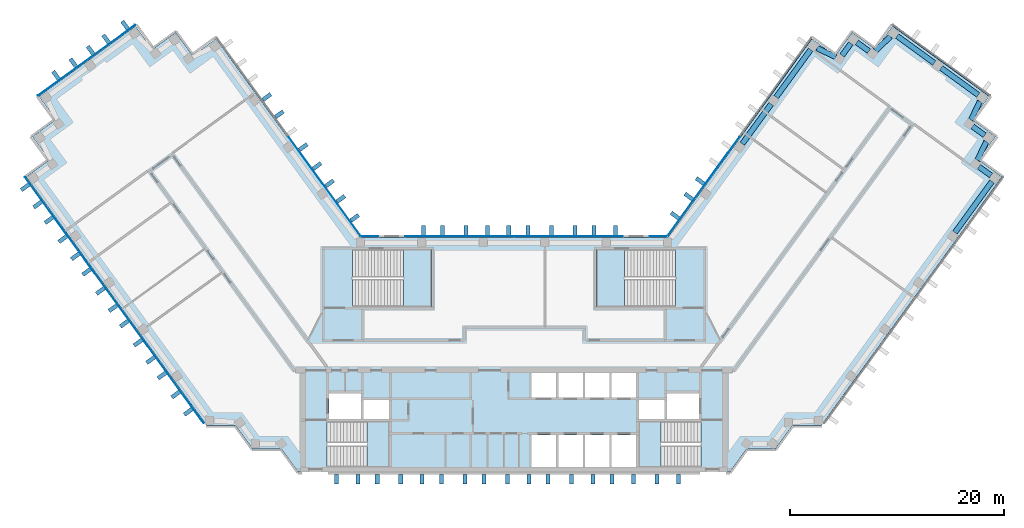
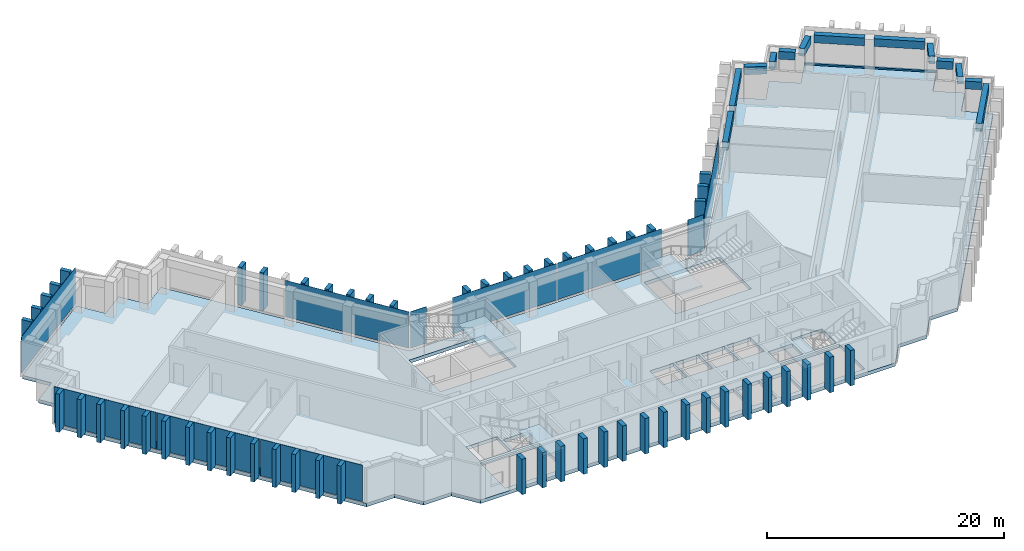
"""IFC4 building model written with IfcOpenShell, lengths in metres."""

from ifc_helpers import new_model, si_unit, direction, frame, origin, origin_2d, place, context, subcontext, project, spatial, polyline, rectangle, outline, extrude, material, layer, layer_set, material_profile, profile_set, type_object, element, aggregate, save


model = new_model("IFC4")

# Units and contexts
model_context = context("Model", 3, precision=1e-05, world=origin(), true_north=direction((0.0, 1.0)))
body_context = subcontext(model_context, "Body", "Model", "MODEL_VIEW")
ifc_project = project(units=[si_unit("LENGTHUNIT", "METRE"), si_unit("AREAUNIT", "SQUARE_METRE"), si_unit("VOLUMEUNIT", "CUBIC_METRE"), si_unit("PLANEANGLEUNIT", "RADIAN"), si_unit("MASSUNIT", "GRAM", prefix="KILO")], contexts=[model_context])

# Site, building, storey
site_placement = place(None, origin())
site = spatial("IfcSite", under=ifc_project, at=site_placement, CompositionType="ELEMENT")
building_placement = place(site_placement, origin())
building = spatial("IfcBuilding", under=site, at=building_placement, Name="Quipu Civic Tower", CompositionType="ELEMENT")
storey_1_placement = place(building_placement, frame((0.0, 0.0, 176.0)))
storey_1 = spatial("IfcBuildingStorey", under=building, at=storey_1_placement, Name="L41", CompositionType="ELEMENT", Elevation=176.0)

# Beams
ifc_material_1 = material(Name="Concrete C50/60", Category="concrete")
ifc_material_profile_1 = material_profile(ifc_material_1, rectangle(XDim=0.5, YDim=0.800048828125, at=origin_2d()), Name="RC500x800")
ifc_profile_set_1 = profile_set([ifc_material_profile_1], Name="Concrete C50/60")
beam_type = type_object("IfcBeamType", Name="Spandrel beam RC 500x800 C50/60", PredefinedType="SPANDREL", material=ifc_profile_set_1)
beam_1_placement = place(storey_1_placement, frame((41.305419921875, 11.461181640625, 3.25), z_axis=(0.58780026889, 0.809006083965, 0.0), x_axis=(-0.809006083965, 0.58780026889, 0.0)))
element("IfcBeam", 1, at=beam_1_placement, inside=storey_1, type_object=beam_type, Name="Spandrel beam L41 E-OUT-04 to T-Eo.0-E34", PredefinedType="SPANDREL", context=body_context, shape_type="SweptSolid", body=[
    extrude(rectangle(XDim=0.5, YDim=0.800048828125, at=origin_2d()), origin(), (0.0, 0.0, 1.0), 5.902587890625),
])
beam_2_placement = place(storey_1_placement, frame((44.6865234375, 16.79541015625, 3.25), z_axis=(-0.808600329101, 0.588358315805, 0.0), x_axis=(-0.588358315805, -0.808600329101, 0.0)))
element("IfcBeam", 2, at=beam_2_placement, inside=storey_1, type_object=beam_type, Name="Spandrel beam L41 T-Eo.0-E34 to T-Eo.1-E34", PredefinedType="SPANDREL", context=body_context, shape_type="SweptSolid", body=[
    extrude(rectangle(XDim=0.5, YDim=0.800048828125, at=origin_2d()), origin(), (0.0, 0.0, 1.0), 1.400146484375),
])
beam_3_placement = place(storey_1_placement, frame((43.40625, 18.2216796875, 3.25), z_axis=(0.430785642718, 0.902454281406, 0.0), x_axis=(-0.902454281406, 0.430785642718, 0.0)))
element("IfcBeam", 3, at=beam_3_placement, inside=storey_1, type_object=beam_type, Name="Spandrel beam L41 T-Eo.1-E34 to T-Eo.2-E34", PredefinedType="SPANDREL", context=body_context, shape_type="SweptSolid", body=[
    extrude(rectangle(XDim=0.5, YDim=0.800048828125, at=origin_2d()), origin(), (0.0, 0.0, 1.0), 1.934814453125),
])
beam_4_placement = place(storey_1_placement, frame((44.09130859375, 20.56982421875, 3.25), z_axis=(-0.809467380413, 0.587164849125, 0.0), x_axis=(-0.587164849125, -0.809467380413, 0.0)))
element("IfcBeam", 4, at=beam_4_placement, inside=storey_1, type_object=beam_type, Name="Spandrel beam L41 T-Eo.2-E34 to T-Eo.3-E34", PredefinedType="SPANDREL", context=body_context, shape_type="SweptSolid", body=[
    extrude(rectangle(XDim=0.5, YDim=0.800048828125, at=origin_2d()), origin(), (0.0, 0.0, 1.0), 1.399169921875),
])
beam_5_placement = place(storey_1_placement, frame((42.809814453125, 21.99365234375, 3.25), z_axis=(0.429889421342, 0.902881545618, 0.0), x_axis=(-0.902881545618, 0.429889421342, 0.0)))
element("IfcBeam", 5, at=beam_5_placement, inside=storey_1, type_object=beam_type, Name="Spandrel beam L41 T-Eo.3-E34 to T-Eo.4-E34", PredefinedType="SPANDREL", context=body_context, shape_type="SweptSolid", body=[
    extrude(rectangle(XDim=0.5, YDim=0.800048828125, at=origin_2d()), origin(), (0.0, 0.0, 1.0), 1.931396484375),
])
beam_6_placement = place(storey_1_placement, frame((43.491455078125, 24.340087890625, 3.25), z_axis=(-0.808947267178, 0.587881211578, 0.0), x_axis=(-0.587881211578, -0.808947267178, 0.0)))
element("IfcBeam", 6, at=beam_6_placement, inside=storey_1, type_object=beam_type, Name="Spandrel beam L41 T-Eo.4-E34 to TIP-E-01-E34", PredefinedType="SPANDREL", context=body_context, shape_type="SweptSolid", body=[
    extrude(rectangle(XDim=0.5, YDim=0.800048828125, at=origin_2d()), origin(), (0.0, 0.0, 1.0), 4.29833984375),
])
beam_7_placement = place(storey_1_placement, frame((39.3671875, 27.337158203125, 3.25), z_axis=(-0.808983997561, 0.58783066583, 0.0), x_axis=(-0.58783066583, -0.808983997561, 0.0)))
element("IfcBeam", 7, at=beam_7_placement, inside=storey_1, type_object=beam_type, Name="Spandrel beam L41 TIP-E-01-E34 to T-Ei.0-E34", PredefinedType="SPANDREL", context=body_context, shape_type="SweptSolid", body=[
    extrude(rectangle(XDim=0.5, YDim=0.800048828125, at=origin_2d()), origin(), (0.0, 0.0, 1.0), 4.2998046875),
])
beam_8_placement = place(storey_1_placement, frame((35.27001953125, 29.81982421875, 3.25), z_axis=(-0.72519185421, -0.68854685722, 0.0), x_axis=(0.68854685722, -0.72519185421, 0.0)))
element("IfcBeam", 8, at=beam_8_placement, inside=storey_1, type_object=beam_type, Name="Spandrel beam L41 T-Ei.0-E34 to T-Ei.1-E34", PredefinedType="SPANDREL", context=body_context, shape_type="SweptSolid", body=[
    extrude(rectangle(XDim=0.5, YDim=0.800048828125, at=origin_2d()), origin(), (0.0, 0.0, 1.0), 1.93212890625),
])
beam_9_placement = place(storey_1_placement, frame((33.250244140625, 28.4443359375, 3.25), z_axis=(-0.80941533633, 0.587236590578, 0.0), x_axis=(-0.587236590578, -0.80941533633, 0.0)))
element("IfcBeam", 9, at=beam_9_placement, inside=storey_1, type_object=beam_type, Name="Spandrel beam L41 T-Ei.1-E34 to T-Ei.2-E34", PredefinedType="SPANDREL", context=body_context, shape_type="SweptSolid", body=[
    extrude(rectangle(XDim=0.5, YDim=0.800048828125, at=origin_2d()), origin(), (0.0, 0.0, 1.0), 1.397705078125),
])
beam_10_placement = place(storey_1_placement, frame((31.559326171875, 29.1767578125, 3.25), z_axis=(-0.589342949835, -0.80788296645, 0.0), x_axis=(0.80788296645, -0.589342949835, 0.0)))
element("IfcBeam", 10, at=beam_10_placement, inside=storey_1, type_object=beam_type, Name="Spandrel beam L41 T-Ei.2-E34 to T-Ei.3-E34", PredefinedType="SPANDREL", context=body_context, shape_type="SweptSolid", body=[
    extrude(rectangle(XDim=0.5, YDim=0.800048828125, at=origin_2d()), origin(), (0.0, 0.0, 1.0), 1.39990234375),
])
beam_11_placement = place(storey_1_placement, frame((30.131591796875, 27.89794921875, 3.25), z_axis=(-0.902584802379, 0.430512107279, 0.0), x_axis=(-0.430512107279, -0.902584802379, 0.0)))
element("IfcBeam", 11, at=beam_11_placement, inside=storey_1, type_object=beam_type, Name="Spandrel beam L41 T-Ei.3-E34 to T-Ei.4-E34", PredefinedType="SPANDREL", context=body_context, shape_type="SweptSolid", body=[
    extrude(rectangle(XDim=0.5, YDim=0.800048828125, at=origin_2d()), origin(), (0.0, 0.0, 1.0), 1.9326171875),
])
beam_12_placement = place(storey_1_placement, frame((27.784912109375, 28.581298828125, 3.25), z_axis=(-0.587664254196, -0.809104890815, 0.0), x_axis=(0.809104890815, -0.587664254196, 0.0)))
element("IfcBeam", 12, at=beam_12_placement, inside=storey_1, type_object=beam_type, Name="Spandrel beam L41 T-Ei.4-E34 to E-IN-03", PredefinedType="SPANDREL", context=body_context, shape_type="SweptSolid", body=[
    extrude(rectangle(XDim=0.5, YDim=0.800048828125, at=origin_2d()), origin(), (0.0, 0.0, 1.0), 5.493896484375),
])
beam_13_placement = place(storey_1_placement, frame((24.086181640625, 23.489013671875, 3.25), z_axis=(-0.587736122681, -0.809052686848, 0.0), x_axis=(0.809052686848, -0.587736122681, 0.0)))
element("IfcBeam", 13, at=beam_13_placement, inside=storey_1, type_object=beam_type, Name="Spandrel beam L41 E-IN-03 to E-IN-02", PredefinedType="SPANDREL", context=body_context, shape_type="SweptSolid", body=[
    extrude(rectangle(XDim=0.5, YDim=0.800048828125, at=origin_2d()), origin(), (0.0, 0.0, 1.0), 4.60009765625),
])

# Storey
storey_2_placement = place(building_placement, frame((0.0, 0.0, 172.0)))
storey_2 = spatial("IfcBuildingStorey", under=building, at=storey_2_placement, Name="L40", CompositionType="ELEMENT", Elevation=172.0)

# Curtain wall, member
ifc_material_2 = material(Name="Insulated glass unit", Category="glass")
curtain_wall_type = type_object("IfcCurtainWallType", Name="Office curtain wall CW1", PredefinedType="NOTDEFINED", material=ifc_material_2)
curtain_wall_1_placement = place(storey_2_placement, origin())
curtain_wall_1 = element("IfcCurtainWall", 14, at=curtain_wall_1_placement, inside=storey_2, type_object=curtain_wall_type, Name="Office curtain wall CW1 L39 run 25", PredefinedType="NOTDEFINED")
ifc_material_3 = material(Name="Anodised aluminium", Category="aluminium")
ifc_material_profile_2 = material_profile(ifc_material_3, rectangle(XDim=0.199951171875, YDim=0.159912109375, at=origin_2d()), Name="RECT 200x160")
ifc_profile_set_2 = profile_set([ifc_material_profile_2], Name="Anodised aluminium")
member_type = type_object("IfcMemberType", Name="Transom CW1", PredefinedType="USERDEFINED", material=ifc_profile_set_2)
member_1_placement = place(storey_1_placement, frame((44.590087890625, 24.2841796875, 0.080078125), z_axis=(-0.809014959561, 0.587788052963, 0.0), x_axis=(-0.587788052963, -0.809014959561, 0.0)))
member_1 = element("IfcMember", 15, at=member_1_placement, inside=storey_1, type_object=member_type, Name="CW1 transom 1.3", ObjectType="TRANSOM", PredefinedType="USERDEFINED", context=body_context, shape_type="SweptSolid", body=[
    extrude(rectangle(XDim=0.199951171875, YDim=0.159912109375, at=origin_2d()), origin(), (0.0, 0.0, 1.0), 11.239990234375),
])
aggregate(curtain_wall_1, [member_1])

curtain_wall_2_placement = place(storey_2_placement, origin())
curtain_wall_2 = element("IfcCurtainWall", 16, at=curtain_wall_2_placement, inside=storey_2, type_object=curtain_wall_type, Name="Office curtain wall CW1 L39 run 30", PredefinedType="NOTDEFINED")
member_2_placement = place(storey_1_placement, frame((27.84228515625, 29.678466796875, 0.080078125), z_axis=(-0.587775682251, -0.809023947331, 0.0), x_axis=(0.809023947331, -0.587775682251, 0.0)))
member_2 = element("IfcMember", 17, at=member_2_placement, inside=storey_1, type_object=member_type, Name="CW1 transom 1.3", ObjectType="TRANSOM", PredefinedType="USERDEFINED", context=body_context, shape_type="SweptSolid", body=[
    extrude(rectangle(XDim=0.199951171875, YDim=0.159912109375, at=origin_2d()), origin(), (0.0, 0.0, 1.0), 11.402099609375),
])

# Slab
ifc_material_4 = material(Name="Concrete C40/50", Category="concrete")
ifc_layer_1 = layer(ifc_material_4, 0.35009765625)
ifc_layer_set_1 = layer_set([ifc_layer_1], Name="Concrete C40/50")
slab_type_1 = type_object("IfcSlabType", Name="Floor slab 350 C40/50", PredefinedType="FLOOR", material=ifc_layer_set_1)
slab_1_placement = place(storey_1_placement, frame((0.0, 0.0, -0.35009765625)))
element("IfcSlab", 18, at=slab_1_placement, inside=storey_1, type_object=slab_type_1, Name="Floor slab L41", PredefinedType="FLOOR", context=body_context, shape_type="SweptSolid", body=[
    extrude(outline(polyline([(27.909912109375, 29.60498046875), (30.094970703125, 28.014892578125), (31.68505859375, 30.199951171875), (33.864990234375, 28.614990234375), (35.455078125, 30.800048828125), (44.514892578125, 24.215087890625), (42.929931640625, 22.030029296875), (45.114990234375, 20.445068359375), (43.52490234375, 18.260009765625), (45.7099609375, 16.669921875), (28.780029296875, -6.6298828125), (26.080078125, -6.6298828125), (24.489990234375, -8.81494140625), (21.7900390625, -8.81494140625), (20.205078125, -11.0), (-20.205078125, -11.0), (-21.7900390625, -8.81494140625), (-24.489990234375, -8.81494140625), (-26.080078125, -6.6298828125), (-28.780029296875, -6.6298828125), (-45.7099609375, 16.669921875), (-43.52490234375, 18.260009765625), (-45.114990234375, 20.445068359375), (-42.929931640625, 22.030029296875), (-44.514892578125, 24.215087890625), (-35.455078125, 30.800048828125), (-33.864990234375, 28.614990234375), (-31.68505859375, 30.199951171875), (-30.094970703125, 28.014892578125), (-27.909912109375, 29.60498046875), (-14.39501953125, 11.0), (14.39501953125, 11.0), (27.909912109375, 29.60498046875)]), holes=[polyline([(1.64990234375, -7.5), (1.64990234375, -10.5), (3.949951171875, -10.5), (3.949951171875, -7.5), (1.64990234375, -7.5)]), polyline([(4.14990234375, -7.5), (4.14990234375, -10.5), (6.449951171875, -10.5), (6.449951171875, -7.5), (4.14990234375, -7.5)]), polyline([(-11.705078125, -6.2548828125), (-17.4951171875, -6.2548828125), (-17.4951171875, -10.4951171875), (-11.705078125, -10.4951171875), (-11.705078125, -6.2548828125)]), polyline([(-14.10009765625, -4.25), (-14.10009765625, -6.0), (-11.699951171875, -6.0), (-11.699951171875, -4.25), (-14.10009765625, -4.25)]), polyline([(-17.35009765625, -3.60009765625), (-17.35009765625, -6.0), (-14.35009765625, -6.0), (-14.35009765625, -3.60009765625), (-17.35009765625, -3.60009765625)]), polyline([(1.64990234375, -1.699951171875), (1.64990234375, -4.0), (3.949951171875, -4.0), (3.949951171875, -1.699951171875), (1.64990234375, -1.699951171875)]), polyline([(4.14990234375, -1.699951171875), (4.14990234375, -4.0), (6.449951171875, -4.0), (6.449951171875, -1.699951171875), (4.14990234375, -1.699951171875)]), polyline([(-7.7548828125, 9.844970703125), (-15.14501953125, 9.844970703125), (-15.14501953125, 4.5048828125), (-7.7548828125, 4.5048828125), (-7.7548828125, 9.844970703125)]), polyline([(6.64990234375, -7.5), (6.64990234375, -10.5), (8.949951171875, -10.5), (8.949951171875, -7.5), (6.64990234375, -7.5)]), polyline([(9.14990234375, -7.5), (9.14990234375, -10.5), (11.449951171875, -10.5), (11.449951171875, -7.5), (9.14990234375, -7.5)]), polyline([(11.705078125, -10.4951171875), (17.4951171875, -10.4951171875), (17.4951171875, -6.2548828125), (11.705078125, -6.2548828125), (11.705078125, -10.4951171875)]), polyline([(11.699951171875, -4.25), (11.699951171875, -6.0), (14.10009765625, -6.0), (14.10009765625, -4.25), (11.699951171875, -4.25)]), polyline([(14.35009765625, -3.60009765625), (14.35009765625, -6.0), (17.35009765625, -6.0), (17.35009765625, -3.60009765625), (14.35009765625, -3.60009765625)]), polyline([(6.64990234375, -1.699951171875), (6.64990234375, -4.0), (8.949951171875, -4.0), (8.949951171875, -1.699951171875), (6.64990234375, -1.699951171875)]), polyline([(9.14990234375, -1.699951171875), (9.14990234375, -4.0), (11.449951171875, -4.0), (11.449951171875, -1.699951171875), (9.14990234375, -1.699951171875)]), polyline([(7.7548828125, 4.5048828125), (15.14501953125, 4.5048828125), (15.14501953125, 9.844970703125), (7.7548828125, 9.844970703125), (7.7548828125, 4.5048828125)])]), origin(), (0.0, 0.0, 1.0), 0.35009765625),
])

# Curtain wall, plate
curtain_wall_3_placement = place(storey_2_placement, origin())
curtain_wall_3 = element("IfcCurtainWall", 19, at=curtain_wall_3_placement, inside=storey_2, type_object=curtain_wall_type, Name="Office curtain wall CW1 L39 run 1", PredefinedType="NOTDEFINED")
ifc_material_5 = material(Name="Insulated glass unit", Category="glass")
ifc_layer_2 = layer(ifc_material_5, 0.028076171875)
ifc_layer_set_2 = layer_set([ifc_layer_2], Name="Insulated glass unit")
plate_type_1 = type_object("IfcPlateType", Name="Glass panel CW1", PredefinedType="CURTAIN_PANEL", material=ifc_layer_set_2)
plate_1_placement = place(storey_1_placement, frame((-17.7421875, 15.777099609375, 0.16015625), z_axis=(0.0, 0.0, 1.0), x_axis=(-0.587788727052, 0.809014469803, 0.0)))
plate_1 = element("IfcPlate", 20, at=plate_1_placement, inside=storey_1, type_object=plate_type_1, Name="CW1 panel 1.3", PredefinedType="CURTAIN_PANEL", context=body_context, shape_type="SweptSolid", body=[
    extrude(rectangle(XDim=11.402099609375, YDim=0.028076171875, at=origin_2d()), origin(), (0.0, 0.0, 1.0), 3.760009765625),
])
aggregate(curtain_wall_3, [plate_1])

curtain_wall_4_placement = place(storey_2_placement, origin())
curtain_wall_4 = element("IfcCurtainWall", 21, at=curtain_wall_4_placement, inside=storey_2, type_object=curtain_wall_type, Name="Office curtain wall CW1 L39 run 6", PredefinedType="NOTDEFINED")
plate_2_placement = place(storey_1_placement, frame((-40.04345703125, 27.58740234375, 0.16015625), z_axis=(0.0, 0.0, 1.0), x_axis=(-0.809015176832, -0.587787753918, 0.0)))
plate_2 = element("IfcPlate", 22, at=plate_2_placement, inside=storey_1, type_object=plate_type_1, Name="CW1 panel 1.3", PredefinedType="CURTAIN_PANEL", context=body_context, shape_type="SweptSolid", body=[
    extrude(rectangle(XDim=11.239990234375, YDim=0.028076171875, at=origin_2d()), origin(), (0.0, 0.0, 1.0), 3.760009765625),
])
aggregate(curtain_wall_4, [plate_2])

# Curtain wall, plates
curtain_wall_5_placement = place(storey_2_placement, origin())
curtain_wall_5 = element("IfcCurtainWall", 23, at=curtain_wall_5_placement, inside=storey_2, type_object=curtain_wall_type, Name="Office curtain wall CW1 L39 run 8", PredefinedType="NOTDEFINED")
plate_3_placement = place(storey_1_placement, frame((-43.030517578125, 12.814208984375, 0.16015625), z_axis=(0.0, 0.0, 1.0), x_axis=(0.5877856923, -0.80901667469, 0.0)))
plate_3 = element("IfcPlate", 24, at=plate_3_placement, inside=storey_1, type_object=plate_type_1, Name="CW1 panel 1.3", PredefinedType="CURTAIN_PANEL", context=body_context, shape_type="SweptSolid", body=[
    extrude(rectangle(XDim=9.43212890625, YDim=0.028076171875, at=origin_2d()), origin(), (0.0, 0.0, 1.0), 3.760009765625),
])
plate_4_placement = place(storey_1_placement, frame((-37.427734375, 5.102783203125, 0.16015625), z_axis=(0.0, 0.0, 1.0), x_axis=(0.5877856923, -0.80901667469, 0.0)))
plate_4 = element("IfcPlate", 25, at=plate_4_placement, inside=storey_1, type_object=plate_type_1, Name="CW1 panel 2.3", PredefinedType="CURTAIN_PANEL", context=body_context, shape_type="SweptSolid", body=[
    extrude(rectangle(XDim=9.471923828125, YDim=0.028076171875, at=origin_2d()), origin(), (0.0, 0.0, 1.0), 3.760009765625),
])
plate_5_placement = place(storey_1_placement, frame((-31.824951171875, -2.60888671875, 0.16015625), z_axis=(0.0, 0.0, 1.0), x_axis=(0.5877856923, -0.80901667469, 0.0)))
plate_5 = element("IfcPlate", 26, at=plate_5_placement, inside=storey_1, type_object=plate_type_1, Name="CW1 panel 3.3", PredefinedType="CURTAIN_PANEL", context=body_context, shape_type="SweptSolid", body=[
    extrude(rectangle(XDim=9.43212890625, YDim=0.028076171875, at=origin_2d()), origin(), (0.0, 0.0, 1.0), 3.760009765625),
])
aggregate(curtain_wall_5, [plate_3, plate_4, plate_5])

# Plate
plate_6_placement = place(storey_1_placement, frame((17.7421875, 15.777099609375, 0.16015625), z_axis=(0.0, 0.0, 1.0), x_axis=(-0.587788727052, -0.809014469803, 0.0)))
plate_6 = element("IfcPlate", 27, at=plate_6_placement, inside=storey_1, type_object=plate_type_1, Name="CW1 panel 2.3", PredefinedType="CURTAIN_PANEL", context=body_context, shape_type="SweptSolid", body=[
    extrude(rectangle(XDim=11.402099609375, YDim=0.028076171875, at=origin_2d()), origin(), (0.0, 0.0, 1.0), 3.760009765625),
])

aggregate(curtain_wall_2, [member_2, plate_6])

# Curtain wall, plate
curtain_wall_6_placement = place(storey_2_placement, origin())
curtain_wall_6 = element("IfcCurtainWall", 28, at=curtain_wall_6_placement, inside=storey_2, type_object=curtain_wall_type, Name="Office curtain wall CW1 L39 run 31", PredefinedType="NOTDEFINED")
plate_7_placement = place(storey_1_placement, frame((13.49951171875, 11.10009765625, 0.16015625), z_axis=(0.0, 0.0, 1.0), x_axis=(-1.0, 0.0, 0.0)))
plate_7 = element("IfcPlate", 29, at=plate_7_placement, inside=storey_1, type_object=plate_type_1, Name="CW1 panel 1.3", PredefinedType="CURTAIN_PANEL", context=body_context, shape_type="SweptSolid", body=[
    extrude(rectangle(XDim=1.529296875, YDim=0.028076171875, at=origin_2d()), origin(), (0.0, 0.0, 1.0), 3.760009765625),
])
aggregate(curtain_wall_6, [plate_7])

# Curtain wall, plates
curtain_wall_7_placement = place(storey_2_placement, origin())
curtain_wall_7 = element("IfcCurtainWall", 30, at=curtain_wall_7_placement, inside=storey_2, type_object=curtain_wall_type, Name="Office curtain wall CW1 L39 run 33", PredefinedType="NOTDEFINED")
plate_8_placement = place(storey_1_placement, frame((5.11181640625, 11.10009765625, 0.16015625), z_axis=(0.0, 0.0, 1.0), x_axis=(-1.0, 0.0, 0.0)))
plate_8 = element("IfcPlate", 31, at=plate_8_placement, inside=storey_1, type_object=plate_type_1, Name="CW1 panel 1.3", PredefinedType="CURTAIN_PANEL", context=body_context, shape_type="SweptSolid", body=[
    extrude(rectangle(XDim=10.1435546875, YDim=0.028076171875, at=origin_2d()), origin(), (0.0, 0.0, 1.0), 3.760009765625),
])
plate_9_placement = place(storey_1_placement, frame((-5.11181640625, 11.10009765625, 0.16015625), z_axis=(0.0, 0.0, 1.0), x_axis=(-1.0, 0.0, 0.0)))
plate_9 = element("IfcPlate", 32, at=plate_9_placement, inside=storey_1, type_object=plate_type_1, Name="CW1 panel 2.3", PredefinedType="CURTAIN_PANEL", context=body_context, shape_type="SweptSolid", body=[
    extrude(rectangle(XDim=10.1435546875, YDim=0.028076171875, at=origin_2d()), origin(), (0.0, 0.0, 1.0), 3.760009765625),
])
aggregate(curtain_wall_7, [plate_8, plate_9])

# Curtain wall, plate
curtain_wall_8_placement = place(storey_2_placement, origin())
curtain_wall_8 = element("IfcCurtainWall", 33, at=curtain_wall_8_placement, inside=storey_2, type_object=curtain_wall_type, Name="Office curtain wall CW1 L39 run 35", PredefinedType="NOTDEFINED")
plate_10_placement = place(storey_1_placement, frame((-13.49951171875, 11.10009765625, 0.16015625), z_axis=(0.0, 0.0, 1.0), x_axis=(-1.0, 0.0, 0.0)))
plate_10 = element("IfcPlate", 34, at=plate_10_placement, inside=storey_1, type_object=plate_type_1, Name="CW1 panel 1.3", PredefinedType="CURTAIN_PANEL", context=body_context, shape_type="SweptSolid", body=[
    extrude(rectangle(XDim=1.529296875, YDim=0.028076171875, at=origin_2d()), origin(), (0.0, 0.0, 1.0), 3.760009765625),
])
aggregate(curtain_wall_8, [plate_10])

# Plates
ifc_material_6 = material(Name="Precast concrete C40/50", Category="concrete")
plate_type_2 = type_object("IfcPlateType", Name="Precast fin F2", PredefinedType="SHEET", material=ifc_material_6)
for number, where, z_axis, x_axis, name in (
    (35, (-14.92138671875, 12.830078125, 0.080078125), (0.0, 0.0, 1.0), (-0.587787133119, 0.809015627871, 0.0), "Precast fin F2 L41.P01.1"),
    (36, (-16.214599609375, 14.610107421875, 0.080078125), (0.0, 0.0, 1.0), (-0.587787133119, 0.809015627871, 0.0), "Precast fin F2 L41.P01.2"),
    (37, (-17.272705078125, 16.066162109375, 0.080078125), (0.0, 0.0, 1.0), (-0.587787133119, 0.809015627871, 0.0), "Precast fin F2 L41.P01.3"),
    (38, (-18.4482421875, 17.684326171875, 0.080078125), (0.0, 0.0, 1.0), (-0.587787133119, 0.809015627871, 0.0), "Precast fin F2 L41.P01.4"),
    (39, (-19.741455078125, 19.464111328125, 0.080078125), (0.0, 0.0, 1.0), (-0.587787133119, 0.809015627871, 0.0), "Precast fin F2 L41.P01.5"),
    (40, (-21.974853515625, 22.538330078125, 0.080078125), (0.0, 0.0, 1.0), (-0.587787133119, 0.809015627871, 0.0), "Precast fin F2 L41.P01.7"),
    (41, (-23.150390625, 24.156494140625, 0.080078125), (0.0, 0.0, 1.0), (-0.587787133119, 0.809015627871, 0.0), "Precast fin F2 L41.P01.8"),
    (42, (-36.434814453125, 30.88916015625, 0.080078125), (0.0, 0.0, 1.0), (-0.809017072762, -0.587785144401, 0.0), "Precast fin F2 L41.P06.1"),
    (43, (-38.21484375, 29.595947265625, 0.080078125), (0.0, 0.0, 1.0), (-0.809017072762, -0.587785144401, 0.0), "Precast fin F2 L41.P06.2"),
    (44, (-39.6708984375, 28.537841796875, 0.080078125), (0.0, 0.0, 1.0), (-0.809017072762, -0.587785144401, 0.0), "Precast fin F2 L41.P06.3"),
    (45, (-41.2890625, 27.3623046875, 0.080078125), (0.0, 0.0, 1.0), (-0.809017072762, -0.587785144401, 0.0), "Precast fin F2 L41.P06.4"),
    (46, (-42.906982421875, 26.186767578125, 0.080078125), (0.0, 0.0, 1.0), (-0.809017072762, -0.587785144401, 0.0), "Precast fin F2 L41.P06.5"),
    (47, (-45.80078125, 15.69140625, 0.080078125), (0.0, 0.0, 1.0), (0.587785620359, -0.809016726959, 0.0), "Precast fin F2 L41.P08.1"),
    (48, (-44.625244140625, 14.073486328125, 0.080078125), (0.0, 0.0, 1.0), (0.587785620359, -0.809016726959, 0.0), "Precast fin F2 L41.P08.2"),
    (49, (-43.567138671875, 12.6171875, 0.080078125), (0.0, 0.0, 1.0), (0.587785620359, -0.809016726959, 0.0), "Precast fin F2 L41.P08.3"),
    (50, (-42.27392578125, 10.83740234375, 0.080078125), (0.0, 0.0, 1.0), (0.587785620359, -0.809016726959, 0.0), "Precast fin F2 L41.P08.4"),
    (51, (-41.098388671875, 9.21923828125, 0.080078125), (0.0, 0.0, 1.0), (0.587785620359, -0.809016726959, 0.0), "Precast fin F2 L41.P08.5"),
    (52, (-40.040283203125, 7.76318359375, 0.080078125), (0.0, 0.0, 1.0), (0.587785620359, -0.809016726959, 0.0), "Precast fin F2 L41.P08.6"),
    (53, (-38.747314453125, 5.983154296875, 0.080078125), (0.0, 0.0, 1.0), (0.587785620359, -0.809016726959, 0.0), "Precast fin F2 L41.P08.7"),
    (54, (-37.57177734375, 4.365234375, 0.080078125), (0.0, 0.0, 1.0), (0.587785620359, -0.809016726959, 0.0), "Precast fin F2 L41.P08.8"),
    (55, (-36.513671875, 2.908935546875, 0.080078125), (0.0, 0.0, 1.0), (0.587785620359, -0.809016726959, 0.0), "Precast fin F2 L41.P08.9"),
    (56, (-35.220458984375, 1.129150390625, 0.080078125), (0.0, 0.0, 1.0), (0.587785620359, -0.809016726959, 0.0), "Precast fin F2 L41.P08.10"),
    (57, (-34.044921875, -0.48876953125, 0.080078125), (0.0, 0.0, 1.0), (0.587785620359, -0.809016726959, 0.0), "Precast fin F2 L41.P08.11"),
    (58, (-32.987060546875, -1.945068359375, 0.080078125), (0.0, 0.0, 1.0), (0.587785620359, -0.809016726959, 0.0), "Precast fin F2 L41.P08.12"),
    (59, (-31.69384765625, -3.724853515625, 0.080078125), (0.0, 0.0, 1.0), (0.587785620359, -0.809016726959, 0.0), "Precast fin F2 L41.P08.13"),
    (60, (-30.518310546875, -5.343017578125, 0.080078125), (0.0, 0.0, 1.0), (0.587785620359, -0.809016726959, 0.0), "Precast fin F2 L41.P08.14"),
):
    element("IfcPlate", number, at=place(storey_1_placement, frame(where, z_axis=z_axis, x_axis=x_axis)), inside=storey_1, type_object=plate_type_2, Name=name, PredefinedType="SHEET", context=body_context, shape_type="SweptSolid", body=[
        extrude(rectangle(XDim=0.3798828125, YDim=0.89990234375, at=origin_2d()), origin(), (0.0, 0.0, 1.0), 3.919921875),
    ])
for number, where, z_axis, x_axis, name in (
    (61, (-16.610107421875, -11.637939453125, 0.0), (0.0, 0.0, 1.0), (1.0, 0.0, 0.0), "Precast fin F2 L41.P15.1"),
    (62, (-14.610107421875, -11.637939453125, 0.0), (0.0, 0.0, 1.0), (1.0, 0.0, 0.0), "Precast fin F2 L41.P15.2"),
    (63, (-12.81005859375, -11.637939453125, 0.0), (0.0, 0.0, 1.0), (1.0, 0.0, 0.0), "Precast fin F2 L41.P15.3"),
    (64, (-10.610107421875, -11.637939453125, 0.0), (0.0, 0.0, 1.0), (1.0, 0.0, 0.0), "Precast fin F2 L41.P15.4"),
    (65, (-8.610107421875, -11.637939453125, 0.0), (0.0, 0.0, 1.0), (1.0, 0.0, 0.0), "Precast fin F2 L41.P15.5"),
    (66, (-6.81005859375, -11.637939453125, 0.0), (0.0, 0.0, 1.0), (1.0, 0.0, 0.0), "Precast fin F2 L41.P15.6"),
    (67, (-4.610107421875, -11.637939453125, 0.0), (0.0, 0.0, 1.0), (1.0, 0.0, 0.0), "Precast fin F2 L41.P15.7"),
    (68, (-2.81005859375, -11.637939453125, 0.0), (0.0, 0.0, 1.0), (1.0, 0.0, 0.0), "Precast fin F2 L41.P15.8"),
    (69, (-0.610107421875, -11.637939453125, 0.0), (0.0, 0.0, 1.0), (1.0, 0.0, 0.0), "Precast fin F2 L41.P15.9"),
    (70, (1.389892578125, -11.637939453125, 0.0), (0.0, 0.0, 1.0), (1.0, 0.0, 0.0), "Precast fin F2 L41.P15.10"),
    (71, (3.18994140625, -11.637939453125, 0.0), (0.0, 0.0, 1.0), (1.0, 0.0, 0.0), "Precast fin F2 L41.P15.11"),
    (72, (5.389892578125, -11.637939453125, 0.0), (0.0, 0.0, 1.0), (1.0, 0.0, 0.0), "Precast fin F2 L41.P15.12"),
    (73, (7.389892578125, -11.637939453125, 0.0), (0.0, 0.0, 1.0), (1.0, 0.0, 0.0), "Precast fin F2 L41.P15.13"),
    (74, (9.18994140625, -11.637939453125, 0.0), (0.0, 0.0, 1.0), (1.0, 0.0, 0.0), "Precast fin F2 L41.P15.14"),
    (75, (11.18994140625, -11.637939453125, 0.0), (0.0, 0.0, 1.0), (1.0, 0.0, 0.0), "Precast fin F2 L41.P15.15"),
    (76, (13.389892578125, -11.637939453125, 0.0), (0.0, 0.0, 1.0), (1.0, 0.0, 0.0), "Precast fin F2 L41.P15.16"),
    (77, (15.389892578125, -11.637939453125, 0.0), (0.0, 0.0, 1.0), (1.0, 0.0, 0.0), "Precast fin F2 L41.P15.17"),
):
    element("IfcPlate", number, at=place(storey_1_placement, frame(where, z_axis=z_axis, x_axis=x_axis)), inside=storey_1, type_object=plate_type_2, Name=name, PredefinedType="SHEET", context=body_context, shape_type="SweptSolid", body=[
        extrude(rectangle(XDim=0.3798828125, YDim=0.89990234375, at=origin_2d()), origin(), (0.0, 0.0, 1.0), 3.64990234375),
    ])
for number, where, z_axis, x_axis, name in (
    (78, (17.428466796875, 16.28076171875, 0.080078125), (0.0, 0.0, 1.0), (-0.587787133119, -0.809015627871, 0.0), "Precast fin F2 L41.P31.9"),
    (79, (16.37060546875, 14.82470703125, 0.080078125), (0.0, 0.0, 1.0), (-0.587787133119, -0.809015627871, 0.0), "Precast fin F2 L41.P31.10"),
    (80, (15.077392578125, 13.044677734375, 0.080078125), (0.0, 0.0, 1.0), (-0.587787133119, -0.809015627871, 0.0), "Precast fin F2 L41.P31.11"),
    (81, (9.510009765625, 11.64990234375, 0.080078125), (0.0, 0.0, 1.0), (-1.0, 0.0, 0.0), "Precast fin F2 L41.P34.1"),
    (82, (7.510009765625, 11.64990234375, 0.080078125), (0.0, 0.0, 1.0), (-1.0, 0.0, 0.0), "Precast fin F2 L41.P34.2"),
    (83, (5.7099609375, 11.64990234375, 0.080078125), (0.0, 0.0, 1.0), (-1.0, 0.0, 0.0), "Precast fin F2 L41.P34.3"),
    (84, (3.510009765625, 11.64990234375, 0.080078125), (0.0, 0.0, 1.0), (-1.0, 0.0, 0.0), "Precast fin F2 L41.P34.4"),
    (85, (1.31005859375, 11.64990234375, 0.080078125), (0.0, 0.0, 1.0), (-1.0, 0.0, 0.0), "Precast fin F2 L41.P34.5"),
    (86, (-0.489990234375, 11.64990234375, 0.080078125), (0.0, 0.0, 1.0), (-1.0, 0.0, 0.0), "Precast fin F2 L41.P34.6"),
    (87, (-2.489990234375, 11.64990234375, 0.080078125), (0.0, 0.0, 1.0), (-1.0, 0.0, 0.0), "Precast fin F2 L41.P34.7"),
    (88, (-4.489990234375, 11.64990234375, 0.080078125), (0.0, 0.0, 1.0), (-1.0, 0.0, 0.0), "Precast fin F2 L41.P34.8"),
    (89, (-6.68994140625, 11.64990234375, 0.080078125), (0.0, 0.0, 1.0), (-1.0, 0.0, 0.0), "Precast fin F2 L41.P34.9"),
    (90, (-8.489990234375, 11.64990234375, 0.080078125), (0.0, 0.0, 1.0), (-1.0, 0.0, 0.0), "Precast fin F2 L41.P34.10"),
):
    element("IfcPlate", number, at=place(storey_1_placement, frame(where, z_axis=z_axis, x_axis=x_axis)), inside=storey_1, type_object=plate_type_2, Name=name, PredefinedType="SHEET", context=body_context, shape_type="SweptSolid", body=[
        extrude(rectangle(XDim=0.3798828125, YDim=0.89990234375, at=origin_2d()), origin(), (0.0, 0.0, 1.0), 3.919921875),
    ])

# Stair, slab
ifc_material_7 = material(Name="Concrete C40/50", Category="concrete")
stair_type_1 = type_object("IfcStairType", Name="Half turn stair 2000", PredefinedType="HALF_TURN_STAIR", material=ifc_material_7)
stair_1_placement = place(storey_1_placement, origin())
stair_1 = element("IfcStair", 91, at=stair_1_placement, inside=storey_1, type_object=stair_type_1, Name="Exit stair 1", PredefinedType="HALF_TURN_STAIR")
ifc_material_8 = material(Name="Concrete C40/50", Category="concrete")
ifc_layer_3 = layer(ifc_material_8, 0.199951171875)
ifc_layer_set_3 = layer_set([ifc_layer_3], Name="Concrete C40/50")
slab_type_2 = type_object("IfcSlabType", Name="Stair landing 200", PredefinedType="LANDING", material=ifc_layer_set_3)
slab_2_placement = place(storey_1_placement, frame((0.0, 0.0, 1.800048828125)))
slab_2 = element("IfcSlab", 92, at=slab_2_placement, type_object=slab_type_2, Name="ST-1 landing 1", PredefinedType="LANDING", context=body_context, shape_type="SweptSolid", body=[
    extrude(outline(polyline([(-13.780029296875, -10.5), (-11.699951171875, -10.5), (-11.699951171875, -6.25), (-13.780029296875, -6.25), (-13.780029296875, -10.5)])), origin(), (0.0, 0.0, 1.0), 0.199951171875),
])
aggregate(stair_1, [slab_2])

stair_2_placement = place(storey_1_placement, origin())
stair_2 = element("IfcStair", 93, at=stair_2_placement, inside=storey_1, type_object=stair_type_1, Name="Exit stair 2", PredefinedType="HALF_TURN_STAIR")
slab_3_placement = place(storey_1_placement, frame((0.0, 0.0, 1.800048828125)))
slab_3 = element("IfcSlab", 94, at=slab_3_placement, type_object=slab_type_2, Name="ST-2 landing 1", PredefinedType="LANDING", context=body_context, shape_type="SweptSolid", body=[
    extrude(outline(polyline([(13.780029296875, -6.25), (11.699951171875, -6.25), (11.699951171875, -10.5), (13.780029296875, -10.5), (13.780029296875, -6.25)])), origin(), (0.0, 0.0, 1.0), 0.199951171875),
])
aggregate(stair_2, [slab_3])

ifc_material_9 = material(Name="Concrete C40/50", Category="concrete")
stair_type_2 = type_object("IfcStairType", Name="Half turn stair 2600", PredefinedType="HALF_TURN_STAIR", material=ifc_material_9)
stair_3_placement = place(storey_1_placement, origin())
stair_3 = element("IfcStair", 95, at=stair_3_placement, inside=storey_1, type_object=stair_type_2, Name="Exit stair 3", PredefinedType="HALF_TURN_STAIR")
slab_4_placement = place(storey_1_placement, frame((0.0, 0.0, 1.800048828125)))
slab_4 = element("IfcSlab", 96, at=slab_4_placement, type_object=slab_type_2, Name="ST-3 landing 1", PredefinedType="LANDING", context=body_context, shape_type="SweptSolid", body=[
    extrude(outline(polyline([(-10.35009765625, 4.5), (-7.75, 4.5), (-7.75, 9.85009765625), (-10.35009765625, 9.85009765625), (-10.35009765625, 4.5)])), origin(), (0.0, 0.0, 1.0), 0.199951171875),
])
aggregate(stair_3, [slab_4])

stair_4_placement = place(storey_1_placement, origin())
stair_4 = element("IfcStair", 97, at=stair_4_placement, inside=storey_1, type_object=stair_type_2, Name="Exit stair 4", PredefinedType="HALF_TURN_STAIR")
slab_5_placement = place(storey_1_placement, frame((0.0, 0.0, 1.800048828125)))
slab_5 = element("IfcSlab", 98, at=slab_5_placement, type_object=slab_type_2, Name="ST-4 landing 1", PredefinedType="LANDING", context=body_context, shape_type="SweptSolid", body=[
    extrude(outline(polyline([(10.35009765625, 9.85009765625), (7.75, 9.85009765625), (7.75, 4.5), (10.35009765625, 4.5), (10.35009765625, 9.85009765625)])), origin(), (0.0, 0.0, 1.0), 0.199951171875),
])
aggregate(stair_4, [slab_5])

save(model, "model.ifc")
